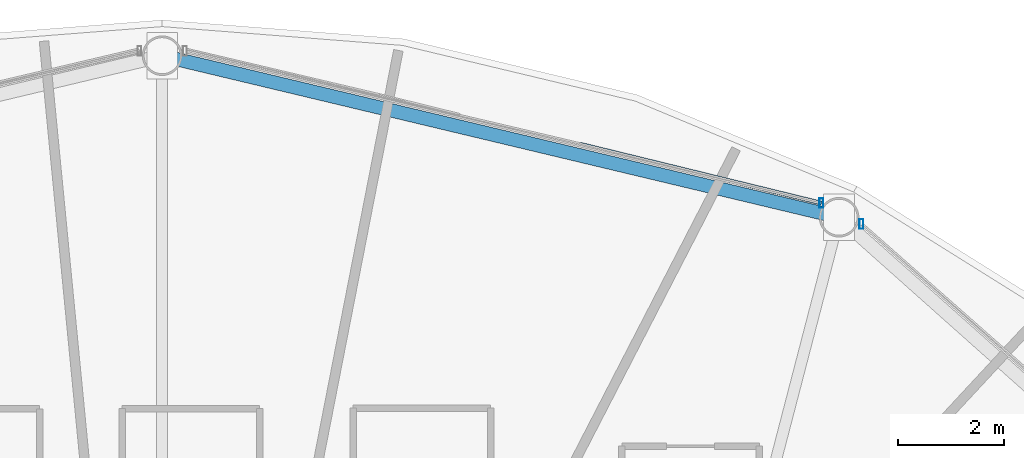
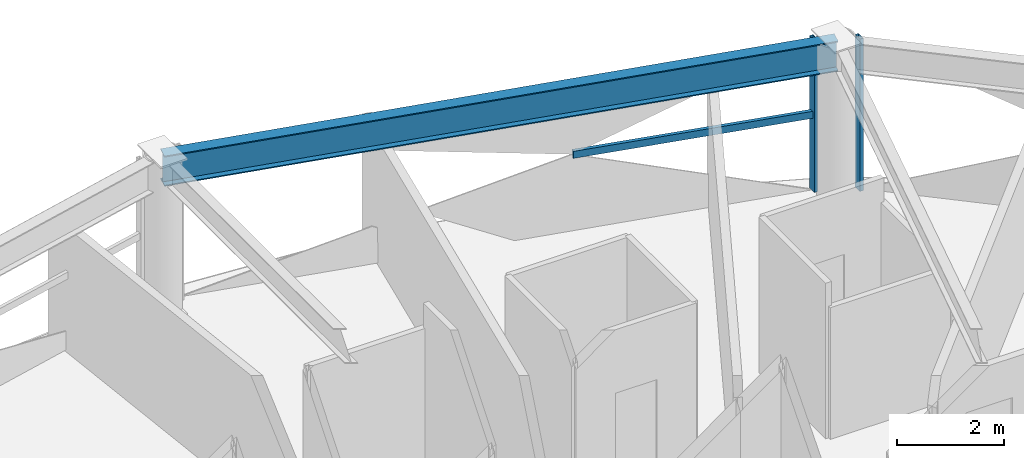
# One storey, part 21 of 32: 3 members, 1 beam, 2 elements without a shape of their own.
"""IFC4 building model written with IfcOpenShell, lengths in metres."""

from ifc_helpers import new_model, si_unit, direction, frame, origin, origin_2d, place, context, subcontext, project, spatial, hollow_rectangle, i_section, extrude, material, layer, layer_set, material_profile, profile_set, type_object, element, aggregate, save


model = new_model("IFC4")

# Units and contexts
model_context = context("Model", 3, precision=1e-05, world=origin(), true_north=direction((0.0, 1.0)))
body_context = subcontext(model_context, "Body", "Model", "MODEL_VIEW")
ifc_project = project(units=[si_unit("LENGTHUNIT", "METRE"), si_unit("AREAUNIT", "SQUARE_METRE"), si_unit("VOLUMEUNIT", "CUBIC_METRE"), si_unit("PLANEANGLEUNIT", "RADIAN"), si_unit("MASSUNIT", "GRAM", prefix="KILO")], contexts=[model_context])

# Site, building, storey
site_placement = place(None, origin())
site = spatial("IfcSite", under=ifc_project, at=site_placement, CompositionType="ELEMENT")
building_placement = place(site_placement, origin())
building = spatial("IfcBuilding", under=site, at=building_placement, Name="Vantalir Tower", CompositionType="ELEMENT")
storey_placement = place(building_placement, frame((0.0, 0.0, 108.449951171875)))
storey = spatial("IfcBuildingStorey", under=building, at=storey_placement, Name="L26", CompositionType="ELEMENT", Elevation=108.449951171875)

# Beam
ifc_material_1 = material(Name="Steel S460", Category="steel")
ifc_material_profile_1 = material_profile(ifc_material_1, i_section(OverallWidth=0.256103515625, OverallDepth=0.693115234375, WebThickness=0.014404296875, FlangeThickness=0.023681640625, at=origin_2d()), Name="Steel S460")
ifc_profile_set_1 = profile_set([ifc_material_profile_1], Name="Steel S460")
beam_type = type_object("IfcBeamType", Name="BM-RG-686x254", PredefinedType="USERDEFINED", material=ifc_profile_set_1)
beam_placement = place(storey_placement, frame((44.2939453125, 44.735107421875, 3.22314453125), z_axis=(-0.972689585219, 0.232109824883, 0.0), x_axis=(-0.232109824883, -0.972689585219, 0.0)))
element("IfcBeam", 1, at=beam_placement, inside=storey, type_object=beam_type, Name="L26 Circumferential Ring Girder 03", ObjectType="GIRDER", PredefinedType="USERDEFINED", context=body_context, shape_type="SweptSolid", body=[
    extrude(i_section(OverallWidth=0.256103515625, OverallDepth=0.693115234375, WebThickness=0.014404296875, FlangeThickness=0.023681640625, at=origin_2d()), origin(), (0.0, 0.0, 1.0), 13.153076171875),
])

# Curtain wall, member
ifc_material_2 = material(Name="Champagne-silver PVDF aluminium and double-silver Low-E glass", Category="aluminium")
ifc_layer = layer(ifc_material_2, 0.199951171875)
ifc_layer_set = layer_set([ifc_layer], Name="Champagne-silver PVDF aluminium and double-silver Low-E glass")
curtain_wall_type = type_object("IfcCurtainWallType", Name="CW-DIAMOND-Z2", PredefinedType="USERDEFINED", material=ifc_layer_set)
curtain_wall_1_placement = place(storey_placement, origin())
curtain_wall_1 = element("IfcCurtainWall", 2, at=curtain_wall_1_placement, inside=storey, type_object=curtain_wall_type, Name="L26 Quilted Pyramid-Diamond Curtain Wall S02", ObjectType="UNITISED CURTAIN WALL", PredefinedType="USERDEFINED")
ifc_material_3 = material(Name="Champagne-silver PVDF aluminium 6063-T6", Category="aluminium")
ifc_material_profile_2 = material_profile(ifc_material_3, hollow_rectangle(XDim=0.074951171875, YDim=0.179931640625, WallThickness=0.00390625, at=origin_2d()), Name="Champagne-silver PVDF aluminium 6063-T6")
ifc_profile_set_2 = profile_set([ifc_material_profile_2], Name="Champagne-silver PVDF aluminium 6063-T6")
member_type_1 = type_object("IfcMemberType", Name="CWM-180x75", PredefinedType="MULLION", material=ifc_profile_set_2)
member_1_placement = place(storey_placement, frame((44.717041015625, 44.60693359375, 0.045166015625), z_axis=(0.0, 0.0, 1.0), x_axis=(1.0, 0.0, 0.0)))
member_1 = element("IfcMember", 3, at=member_1_placement, type_object=member_type_1, Name="CW-L26-S02 Mullion 2", PredefinedType="MULLION", context=body_context, shape_type="SweptSolid", body=[
    extrude(hollow_rectangle(XDim=0.074951171875, YDim=0.179931640625, WallThickness=0.00390625, at=origin_2d()), origin(), (0.0, 0.0, 1.0), 3.47998046875),
])
aggregate(curtain_wall_1, [member_1])

# Curtain wall, members
curtain_wall_2_placement = place(storey_placement, origin())
curtain_wall_2 = element("IfcCurtainWall", 4, at=curtain_wall_2_placement, inside=storey, type_object=curtain_wall_type, Name="L26 Quilted Pyramid-Diamond Curtain Wall S03", ObjectType="UNITISED CURTAIN WALL", PredefinedType="USERDEFINED")
member_2_placement = place(storey_placement, frame((43.9609375, 45.001953125, 0.045166015625), z_axis=(0.0, 0.0, 1.0), x_axis=(1.0, 0.0, 0.0)))
member_2 = element("IfcMember", 5, at=member_2_placement, type_object=member_type_1, Name="CW-L26-S03 Mullion 1", PredefinedType="MULLION", context=body_context, shape_type="SweptSolid", body=[
    extrude(hollow_rectangle(XDim=0.074951171875, YDim=0.179931640625, WallThickness=0.00390625, at=origin_2d()), origin(), (0.0, 0.0, 1.0), 3.47998046875),
])
ifc_material_profile_3 = material_profile(ifc_material_3, hollow_rectangle(XDim=0.074951171875, YDim=0.159912109375, WallThickness=0.00390625, at=origin_2d()), Name="Champagne-silver PVDF aluminium 6063-T6")
ifc_profile_set_3 = profile_set([ifc_material_profile_3], Name="Champagne-silver PVDF aluminium 6063-T6")
member_type_2 = type_object("IfcMemberType", Name="CWT-160x75", PredefinedType="USERDEFINED", material=ifc_profile_set_3)
member_3_placement = place(storey_placement, frame((43.9609375, 45.001953125, 1.78515625), z_axis=(-0.971430694941, 0.237323418412, 0.0), x_axis=(-0.237323418412, -0.971430694941, 0.0)))
member_3 = element("IfcMember", 6, at=member_3_placement, type_object=member_type_2, Name="CW-L26-S03 Pyramid Fold Ridge Transom", ObjectType="TRANSOM", PredefinedType="USERDEFINED", context=body_context, shape_type="SweptSolid", body=[
    extrude(hollow_rectangle(XDim=0.074951171875, YDim=0.159912109375, WallThickness=0.00390625, at=origin_2d()), origin(), (0.0, 0.0, 1.0), 4.6982421875),
])
aggregate(curtain_wall_2, [member_2, member_3])

save(model, "model.ifc")
